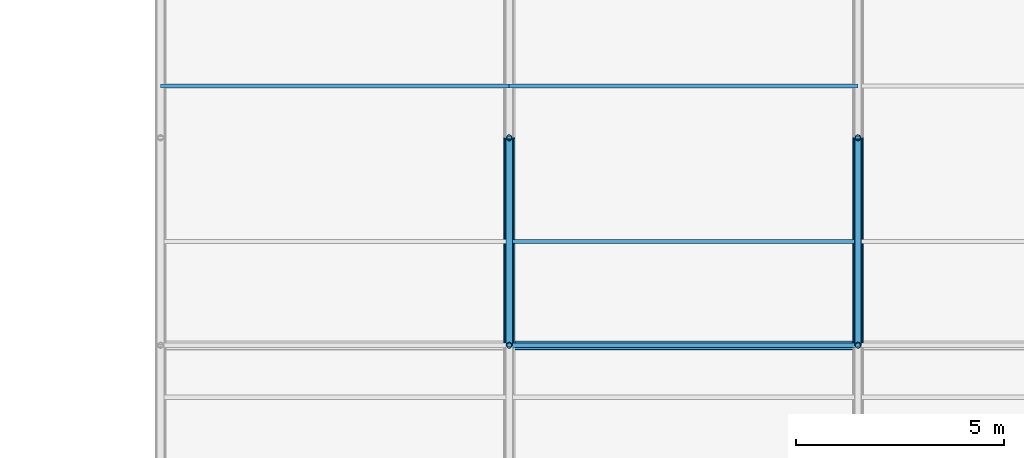
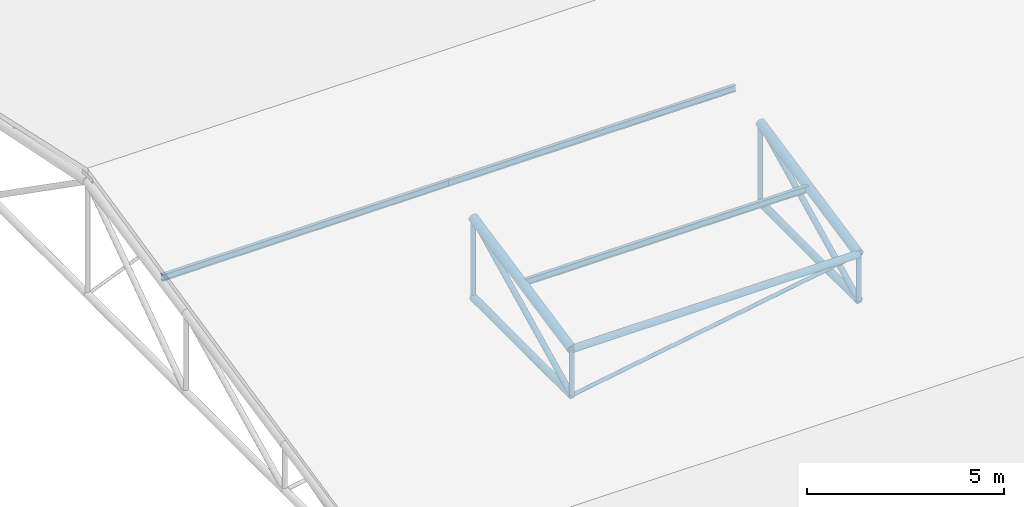
# One storey, part 11 of 194: 12 members, 3 beams.
"""IFC4 building model written with IfcOpenShell, lengths in metres."""

from ifc_helpers import new_model, si_unit, direction, frame, origin, origin_2d, place, context, subcontext, project, spatial, hollow_circle, i_section, extrude, material, material_profile, profile_set, type_object, element, save


model = new_model("IFC4")

# Units and contexts
model_context = context("Model", 3, precision=1e-05, world=origin(), true_north=direction((0.0, 1.0)))
body_context = subcontext(model_context, "Body", "Model", "MODEL_VIEW")
ifc_project = project(units=[si_unit("LENGTHUNIT", "METRE"), si_unit("AREAUNIT", "SQUARE_METRE"), si_unit("VOLUMEUNIT", "CUBIC_METRE"), si_unit("PLANEANGLEUNIT", "RADIAN"), si_unit("MASSUNIT", "GRAM", prefix="KILO")], contexts=[model_context])

# Site, building, storey
site_placement = place(None, origin())
site = spatial("IfcSite", under=ifc_project, at=site_placement, CompositionType="ELEMENT")
building_placement = place(site_placement, origin())
building = spatial("IfcBuilding", under=site, at=building_placement, Name="Kazenagashi Tramway Depot", CompositionType="ELEMENT")
storey_placement = place(building_placement, frame((0.0, 0.0, 23.7)))
storey = spatial("IfcBuildingStorey", under=building, at=storey_placement, Name="ROOF", CompositionType="ELEMENT", Elevation=23.7)

# Beams
ifc_material_1 = material(Name="Steel SN400B", Category="steel")
ifc_material_profile_1 = material_profile(ifc_material_1, i_section(OverallWidth=0.1, OverallDepth=0.2, WebThickness=0.0055, FlangeThickness=0.008, at=origin_2d()), Name="H-200x100x5.5x8")
ifc_profile_set_1 = profile_set([ifc_material_profile_1], Name="Steel SN400B")
beam_type = type_object("IfcBeamType", Name="PR-01", PredefinedType="USERDEFINED", material=ifc_profile_set_1)
for number, where, z_axis, x_axis, name in (
    (1, (53.2, 107.5, -12.13), (1.0, 0.0, 0.0), (0.0, 1.0, 0.0), "Beam PR-01 BM-2145"),
    (2, (44.8, 111.25, -11.305), (1.0, 0.0, 0.0), (0.0, 1.0, 0.0), "Beam PR-01 BM-2162"),
    (3, (53.2, 111.25, -11.305), (1.0, 0.0, 0.0), (0.0, 1.0, 0.0), "Beam PR-01 BM-2163"),
):
    element("IfcBeam", number, at=place(storey_placement, frame(where, z_axis=z_axis, x_axis=x_axis)), inside=storey, type_object=beam_type, Name=name, ObjectType="PURLIN", PredefinedType="USERDEFINED", context=body_context, shape_type="SweptSolid", body=[
        extrude(i_section(OverallWidth=0.1, OverallDepth=0.2, WebThickness=0.0055, FlangeThickness=0.008, at=origin_2d()), origin(), (0.0, 0.0, 1.0), 8.4),
    ])

# Members
ifc_material_2 = material(Name="Steel STK490", Category="steel")
ifc_material_profile_2 = material_profile(ifc_material_2, hollow_circle(Radius=0.1337, WallThickness=0.0093, at=origin_2d()), Name="CHS-267.4x9.3")
ifc_profile_set_2 = profile_set([ifc_material_profile_2], Name="Steel STK490")
member_type_1 = type_object("IfcMemberType", Name="TC-01", PredefinedType="CHORD", material=ifc_profile_set_2)
for number, where, z_axis, x_axis, name in (
    (4, (53.2, 105.0, -12.667), (0.0, 0.979279174591, 0.202514933305), (-1.0, 0.0, 0.0), "Tubular Space Frame TC-01 MEM-0096"),
    (5, (61.6, 105.0, -12.667), (0.0, 0.979279174591, 0.202514933305), (-1.0, 0.0, 0.0), "Tubular Space Frame TC-01 MEM-0157"),
):
    element("IfcMember", number, at=place(storey_placement, frame(where, z_axis=z_axis, x_axis=x_axis)), inside=storey, type_object=member_type_1, Name=name, PredefinedType="CHORD", context=body_context, shape_type="SweptSolid", body=[
        extrude(hollow_circle(Radius=0.1337, WallThickness=0.0093, at=origin_2d()), origin(), (0.0, 0.0, 1.0), 5.105796),
    ])
ifc_material_profile_3 = material_profile(ifc_material_2, hollow_circle(Radius=0.10815, WallThickness=0.0082, at=origin_2d()), Name="CHS-216.3x8.2")
ifc_profile_set_3 = profile_set([ifc_material_profile_3], Name="Steel STK490")
member_type_2 = type_object("IfcMemberType", Name="TC-02", PredefinedType="CHORD", material=ifc_profile_set_3)
member_1_placement = place(storey_placement, frame((53.2, 105.0, -14.1), z_axis=(0.0, 1.0, 0.0), x_axis=(-1.0, 0.0, 0.0)))
element("IfcMember", 6, at=member_1_placement, inside=storey, type_object=member_type_2, Name="Tubular Space Frame TC-02 MEM-0097", PredefinedType="CHORD", context=body_context, shape_type="SweptSolid", body=[
    extrude(hollow_circle(Radius=0.10815, WallThickness=0.0082, at=origin_2d()), origin(), (0.0, 0.0, 1.0), 5.0),
])
member_2_placement = place(storey_placement, frame((53.2, 105.0, -12.667), z_axis=(1.0, 0.0, 0.0), x_axis=(0.0, 1.0, 0.0)))
element("IfcMember", 7, at=member_2_placement, inside=storey, type_object=member_type_2, Name="Tubular Space Frame TC-02 MEM-0117", PredefinedType="CHORD", context=body_context, shape_type="SweptSolid", body=[
    extrude(hollow_circle(Radius=0.10815, WallThickness=0.0082, at=origin_2d()), origin(), (0.0, 0.0, 1.0), 8.4),
])
member_3_placement = place(storey_placement, frame((61.6, 105.0, -14.1), z_axis=(0.0, 1.0, 0.0), x_axis=(-1.0, 0.0, 0.0)))
element("IfcMember", 8, at=member_3_placement, inside=storey, type_object=member_type_2, Name="Tubular Space Frame TC-02 MEM-0158", PredefinedType="CHORD", context=body_context, shape_type="SweptSolid", body=[
    extrude(hollow_circle(Radius=0.10815, WallThickness=0.0082, at=origin_2d()), origin(), (0.0, 0.0, 1.0), 5.0),
])
ifc_material_profile_4 = material_profile(ifc_material_2, hollow_circle(Radius=0.0826, WallThickness=0.0071, at=origin_2d()), Name="CHS-165.2x7.1")
ifc_profile_set_4 = profile_set([ifc_material_profile_4], Name="Steel STK490")
member_type_3 = type_object("IfcMemberType", Name="TS-01", PredefinedType="STRUT", material=ifc_profile_set_4)
for number, where, z_axis, x_axis, name in (
    (9, (53.2, 105.0, -14.1), (0.0, 0.896782162482, 0.442472318969), (-1.0, 0.0, 0.0), "Tubular Space Frame TS-01 MEM-0098"),
    (10, (61.6, 105.0, -14.1), (0.0, 0.896782162482, 0.442472318969), (-1.0, 0.0, 0.0), "Tubular Space Frame TS-01 MEM-0159"),
):
    element("IfcMember", number, at=place(storey_placement, frame(where, z_axis=z_axis, x_axis=x_axis)), inside=storey, type_object=member_type_3, Name=name, PredefinedType="STRUT", context=body_context, shape_type="SweptSolid", body=[
        extrude(hollow_circle(Radius=0.0826, WallThickness=0.0071, at=origin_2d()), origin(), (0.0, 0.0, 1.0), 5.57549),
    ])
ifc_material_profile_5 = material_profile(ifc_material_2, hollow_circle(Radius=0.0699, WallThickness=0.0066, at=origin_2d()), Name="CHS-139.8x6.6")
ifc_profile_set_5 = profile_set([ifc_material_profile_5], Name="Steel STK490")
member_type_4 = type_object("IfcMemberType", Name="TS-02", PredefinedType="STRUT", material=ifc_profile_set_5)
member_4_placement = place(storey_placement, frame((53.2, 105.0, -14.1), z_axis=(0.0, 0.0, 1.0), x_axis=(1.0, 0.0, 0.0)))
element("IfcMember", 11, at=member_4_placement, inside=storey, type_object=member_type_4, Name="Tubular Space Frame TS-02 MEM-0111", PredefinedType="STRUT", context=body_context, shape_type="SweptSolid", body=[
    extrude(hollow_circle(Radius=0.0699, WallThickness=0.0066, at=origin_2d()), origin(), (0.0, 0.0, 1.0), 1.433),
])
member_5_placement = place(storey_placement, frame((53.2, 110.0, -14.1), z_axis=(0.0, 0.0, 1.0), x_axis=(1.0, 0.0, 0.0)))
element("IfcMember", 12, at=member_5_placement, inside=storey, type_object=member_type_4, Name="Tubular Space Frame TS-02 MEM-0112", PredefinedType="STRUT", context=body_context, shape_type="SweptSolid", body=[
    extrude(hollow_circle(Radius=0.0699, WallThickness=0.0066, at=origin_2d()), origin(), (0.0, 0.0, 1.0), 2.467),
])
member_6_placement = place(storey_placement, frame((61.6, 105.0, -14.1), z_axis=(0.0, 0.0, 1.0), x_axis=(1.0, 0.0, 0.0)))
element("IfcMember", 13, at=member_6_placement, inside=storey, type_object=member_type_4, Name="Tubular Space Frame TS-02 MEM-0172", PredefinedType="STRUT", context=body_context, shape_type="SweptSolid", body=[
    extrude(hollow_circle(Radius=0.0699, WallThickness=0.0066, at=origin_2d()), origin(), (0.0, 0.0, 1.0), 1.433),
])
member_7_placement = place(storey_placement, frame((61.6, 110.0, -14.1), z_axis=(0.0, 0.0, 1.0), x_axis=(1.0, 0.0, 0.0)))
element("IfcMember", 14, at=member_7_placement, inside=storey, type_object=member_type_4, Name="Tubular Space Frame TS-02 MEM-0173", PredefinedType="STRUT", context=body_context, shape_type="SweptSolid", body=[
    extrude(hollow_circle(Radius=0.0699, WallThickness=0.0066, at=origin_2d()), origin(), (0.0, 0.0, 1.0), 2.467),
])
ifc_material_3 = material(Name="Steel STK400", Category="steel")
ifc_material_profile_6 = material_profile(ifc_material_3, hollow_circle(Radius=0.05715, WallThickness=0.0045, at=origin_2d()), Name="CHS-114.3x4.5")
ifc_profile_set_6 = profile_set([ifc_material_profile_6], Name="Steel STK400")
member_type_5 = type_object("IfcMemberType", Name="TS-03", PredefinedType="STRUT", material=ifc_profile_set_6)
member_8_placement = place(storey_placement, frame((53.2, 105.0, -14.1), z_axis=(0.985758734117, 0.0, 0.168165745951), x_axis=(0.0, 1.0, 0.0)))
element("IfcMember", 15, at=member_8_placement, inside=storey, type_object=member_type_5, Name="Tubular Space Frame TS-03 MEM-0118", PredefinedType="STRUT", context=body_context, shape_type="SweptSolid", body=[
    extrude(hollow_circle(Radius=0.05715, WallThickness=0.0045, at=origin_2d()), origin(), (0.0, 0.0, 1.0), 8.521355),
])

save(model, "model.ifc")
